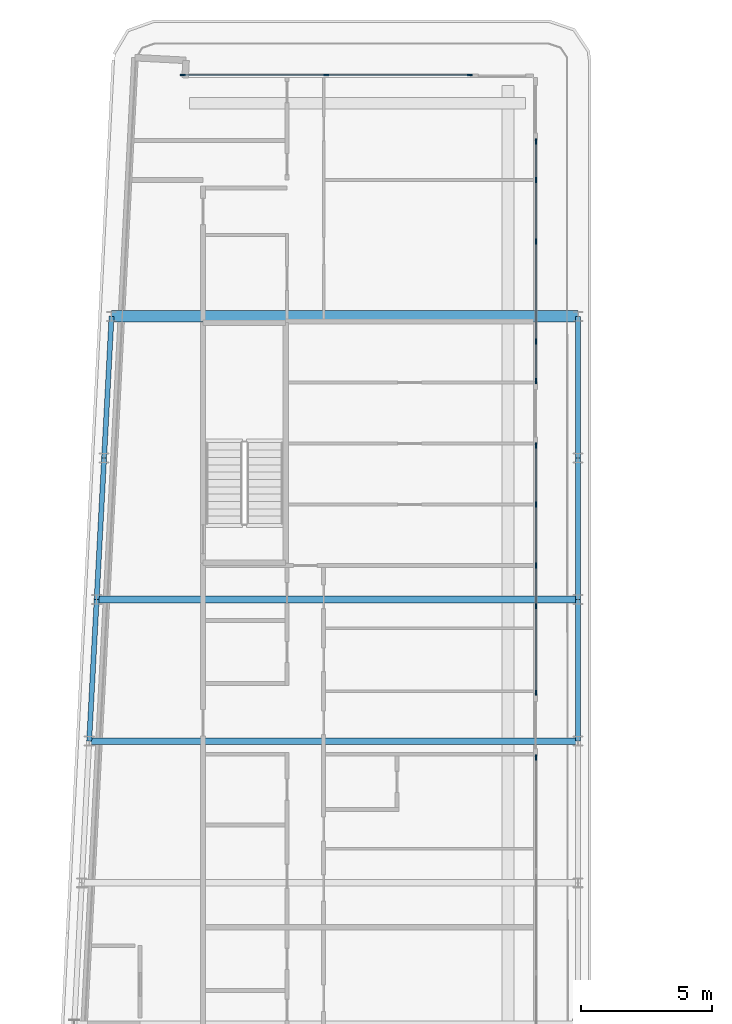
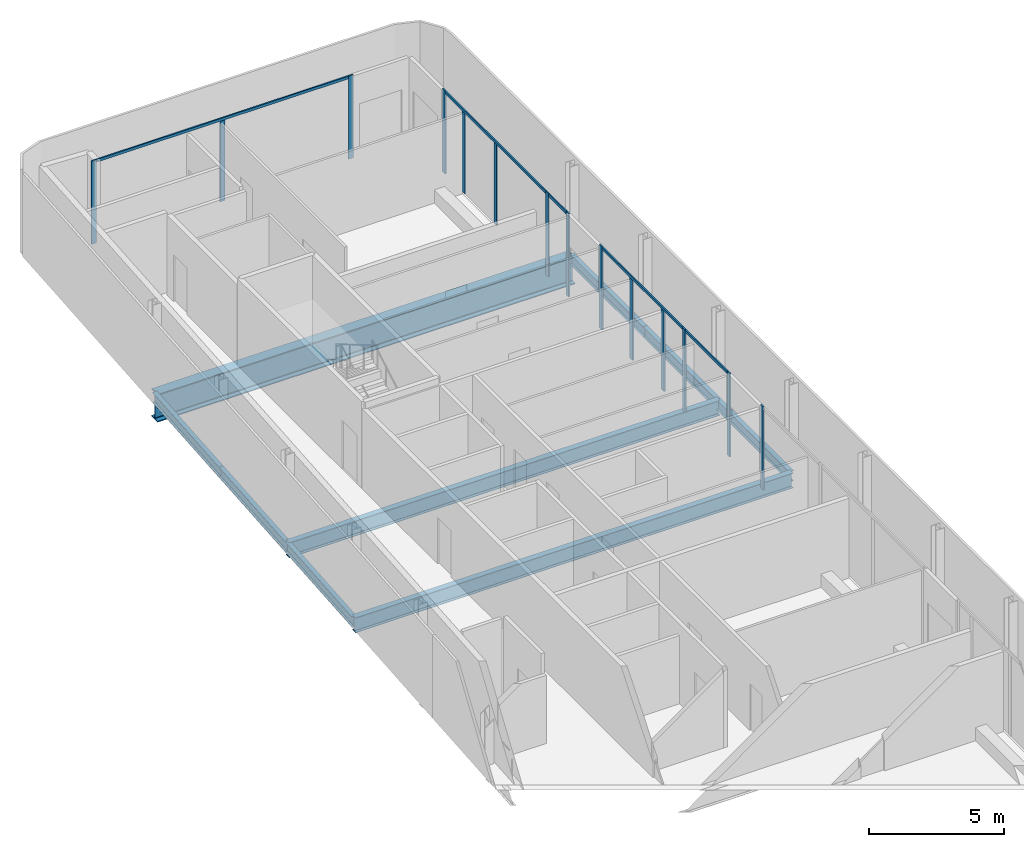
# One storey, part 6 of 18: 19 members, 9 beams, 6 elements without a shape of their own.
"""IFC4 building model written with IfcOpenShell, lengths in metres."""

from ifc_helpers import new_model, si_unit, direction, frame, origin, origin_2d, place, context, subcontext, project, spatial, rectangle, i_section, extrude, material, layer, layer_set, material_profile, profile_set, type_object, element, aggregate, save


model = new_model("IFC4")

# Units and contexts
model_context = context("Model", 3, precision=1e-05, world=origin(), true_north=direction((0.0, 1.0)))
body_context = subcontext(model_context, "Body", "Model", "MODEL_VIEW")
ifc_project = project(units=[si_unit("LENGTHUNIT", "METRE"), si_unit("AREAUNIT", "SQUARE_METRE"), si_unit("VOLUMEUNIT", "CUBIC_METRE"), si_unit("PLANEANGLEUNIT", "RADIAN"), si_unit("MASSUNIT", "GRAM", prefix="KILO")], contexts=[model_context])

# Site, building, storey
site_placement = place(None, origin())
site = spatial("IfcSite", under=ifc_project, at=site_placement, CompositionType="ELEMENT")
building_placement = place(site_placement, origin())
building = spatial("IfcBuilding", under=site, at=building_placement, Name="Kheshtan School and Residences Tower", CompositionType="ELEMENT")
storey_placement = place(building_placement, frame((0.0, 0.0, 365.60009765625)))
storey = spatial("IfcBuildingStorey", under=building, at=storey_placement, Name="L86", CompositionType="ELEMENT", Elevation=365.60009765625)

# Beams
ifc_material_1 = material(Name="Steel ASTM A992 Grade 50", Category="steel")
ifc_material_profile_1 = material_profile(ifc_material_1, i_section(OverallWidth=0.2529296875, OverallDepth=0.677978515625, WebThickness=0.01171875, FlangeThickness=0.016357421875, FilletRadius=0.0146484375, at=origin_2d()), Name="W690x125")
ifc_profile_set_1 = profile_set([ifc_material_profile_1], Name="Steel ASTM A992 Grade 50")
beam_type_1 = type_object("IfcBeamType", Name="Beam FB6 W690x125 ASTM A992 Grade 50", PredefinedType="BEAM", material=ifc_profile_set_1)
beam_1_placement = place(storey_placement, frame((47.60009765625, 78.0, -0.489013671875), z_axis=(-1.0, 0.0, 0.0), x_axis=(0.0, -1.0, 0.0)))
element("IfcBeam", 1, at=beam_1_placement, inside=storey, type_object=beam_type_1, Name="Floor beam C089", PredefinedType="BEAM", context=body_context, shape_type="SweptSolid", body=[
    extrude(i_section(OverallWidth=0.2529296875, OverallDepth=0.677978515625, WebThickness=0.01171875, FlangeThickness=0.016357421875, FilletRadius=0.0146484375, at=origin_2d()), origin(), (0.0, 0.0, 1.0), 18.357177734375),
])
beam_2_placement = place(storey_placement, frame((28.9580078125, 72.60009765625, -0.489013671875), z_axis=(1.0, 0.0, 0.0), x_axis=(0.0, 1.0, 0.0)))
element("IfcBeam", 2, at=beam_2_placement, inside=storey, type_object=beam_type_1, Name="Floor beam C086", PredefinedType="BEAM", context=body_context, shape_type="SweptSolid", body=[
    extrude(i_section(OverallWidth=0.2529296875, OverallDepth=0.677978515625, WebThickness=0.01171875, FlangeThickness=0.016357421875, FilletRadius=0.0146484375, at=origin_2d()), origin(), (0.0, 0.0, 1.0), 18.64208984375),
])
ifc_material_profile_2 = material_profile(ifc_material_1, i_section(OverallWidth=0.18994140625, OverallDepth=0.45703125, WebThickness=0.009033203125, FlangeThickness=0.014404296875, FilletRadius=0.01318359375, at=origin_2d()), Name="W460x74")
ifc_profile_set_2 = profile_set([ifc_material_profile_2], Name="Steel ASTM A992 Grade 50")
beam_type_2 = type_object("IfcBeamType", Name="Beam SP4 W460x74 ASTM A992 Grade 50", PredefinedType="BEAM", material=ifc_profile_set_2)
beam_3_placement = place(storey_placement, frame((47.60009765625, 88.800048828125, -0.378662109375), z_axis=(0.0, -1.0, 0.0), x_axis=(1.0, 0.0, 0.0)))
element("IfcBeam", 3, at=beam_3_placement, inside=storey, type_object=beam_type_2, Name="Spandrel beam C099-C091", PredefinedType="BEAM", context=body_context, shape_type="SweptSolid", body=[
    extrude(i_section(OverallWidth=0.18994140625, OverallDepth=0.45703125, WebThickness=0.009033203125, FlangeThickness=0.014404296875, FilletRadius=0.01318359375, at=origin_2d()), origin(), (0.0, 0.0, 1.0), 5.400146484375),
])
for number, where, z_axis, x_axis, name in (
    (4, (47.60009765625, 83.39990234375, -0.378662109375), (0.0, -1.0, 0.0), (1.0, 0.0, 0.0), "Spandrel beam C091-C089"),
    (5, (47.60009765625, 78.0, -0.378662109375), (0.0, -1.0, 0.0), (1.0, 0.0, 0.0), "Spandrel beam C089-C087"),
):
    element("IfcBeam", number, at=place(storey_placement, frame(where, z_axis=z_axis, x_axis=x_axis)), inside=storey, type_object=beam_type_2, Name=name, PredefinedType="BEAM", context=body_context, shape_type="SweptSolid", body=[
        extrude(i_section(OverallWidth=0.18994140625, OverallDepth=0.45703125, WebThickness=0.009033203125, FlangeThickness=0.014404296875, FilletRadius=0.01318359375, at=origin_2d()), origin(), (0.0, 0.0, 1.0), 5.39990234375),
    ])
for number, where, z_axis, x_axis, name in (
    (6, (28.9580078125, 72.60009765625, -0.378662109375), (0.052689166816, 0.998610961136, 0.0), (-0.998610961136, 0.052689166816, 0.0), "Spandrel beam C086-C088"),
    (7, (29.242919921875, 78.0, -0.378662109375), (0.052554093665, 0.998618078766, 0.0), (-0.998618078766, 0.052554093665, 0.0), "Spandrel beam C088-C090"),
):
    element("IfcBeam", number, at=place(storey_placement, frame(where, z_axis=z_axis, x_axis=x_axis)), inside=storey, type_object=beam_type_2, Name=name, PredefinedType="BEAM", context=body_context, shape_type="SweptSolid", body=[
        extrude(i_section(OverallWidth=0.18994140625, OverallDepth=0.45703125, WebThickness=0.009033203125, FlangeThickness=0.014404296875, FilletRadius=0.01318359375, at=origin_2d()), origin(), (0.0, 0.0, 1.0), 5.407470703125),
    ])
beam_4_placement = place(storey_placement, frame((29.527099609375, 83.39990234375, -0.378662109375), z_axis=(0.05250670125, 0.998620571751, 0.0), x_axis=(-0.998620571751, 0.05250670125, 0.0)))
element("IfcBeam", 8, at=beam_4_placement, inside=storey, type_object=beam_type_2, Name="Spandrel beam C090-C098", PredefinedType="BEAM", context=body_context, shape_type="SweptSolid", body=[
    extrude(i_section(OverallWidth=0.18994140625, OverallDepth=0.45703125, WebThickness=0.009033203125, FlangeThickness=0.014404296875, FilletRadius=0.01318359375, at=origin_2d()), origin(), (0.0, 0.0, 1.0), 5.40771484375),
])

# Curtain wall, members
ifc_material_2 = material(Name="Clear low-e glass in thermally broken aluminium frame", Category="aluminium")
ifc_layer = layer(ifc_material_2, 0.199951171875)
ifc_layer_set = layer_set([ifc_layer], Name="Curtain wall CW-L")
curtain_wall_type = type_object("IfcCurtainWallType", Name="Curtain wall CW-L", PredefinedType="NOTDEFINED", material=ifc_layer_set)
curtain_wall_1_placement = place(storey_placement, origin())
curtain_wall_1 = element("IfcCurtainWall", 9, at=curtain_wall_1_placement, inside=storey, type_object=curtain_wall_type, Name="Curtain wall CWL7", PredefinedType="NOTDEFINED")
ifc_material_3 = material(Name="Thermally broken aluminium, dark bronze anodised", Category="aluminium")
ifc_material_profile_3 = material_profile(ifc_material_3, rectangle(XDim=0.06005859375, YDim=0.199951171875, at=origin_2d()), Name="CW-L mullion 60x200")
ifc_profile_set_3 = profile_set([ifc_material_profile_3], Name="Thermally broken aluminium, dark bronze anodised")
member_type_1 = type_object("IfcMemberType", Name="CW-L mullion 60x200", PredefinedType="MULLION", material=ifc_profile_set_3)
member_1_placement = place(storey_placement, frame((32.52197265625, 98.0, 0.0), z_axis=(0.0, 0.0, 1.0), x_axis=(0.0, 1.0, 0.0)))
member_1 = element("IfcMember", 10, at=member_1_placement, type_object=member_type_1, Name="CWL7 mullion 1", PredefinedType="MULLION", context=body_context, shape_type="SweptSolid", body=[
    extrude(rectangle(XDim=0.06005859375, YDim=0.199951171875, at=origin_2d()), origin(), (0.0, 0.0, 1.0), 3.75),
])
member_2_placement = place(storey_placement, frame((37.99609375, 98.0, 0.0), z_axis=(0.0, 0.0, 1.0), x_axis=(0.0, 1.0, 0.0)))
member_2 = element("IfcMember", 11, at=member_2_placement, type_object=member_type_1, Name="CWL7 mullion 2", PredefinedType="MULLION", context=body_context, shape_type="SweptSolid", body=[
    extrude(rectangle(XDim=0.06005859375, YDim=0.199951171875, at=origin_2d()), origin(), (0.0, 0.0, 1.0), 3.6298828125),
])
member_3_placement = place(storey_placement, frame((43.469970703125, 98.0, 0.0), z_axis=(0.0, 0.0, 1.0), x_axis=(0.0, 1.0, 0.0)))
member_3 = element("IfcMember", 12, at=member_3_placement, type_object=member_type_1, Name="CWL7 mullion 3", PredefinedType="MULLION", context=body_context, shape_type="SweptSolid", body=[
    extrude(rectangle(XDim=0.06005859375, YDim=0.199951171875, at=origin_2d()), origin(), (0.0, 0.0, 1.0), 3.75),
])

curtain_wall_2_placement = place(storey_placement, origin())
curtain_wall_2 = element("IfcCurtainWall", 13, at=curtain_wall_2_placement, inside=storey, type_object=curtain_wall_type, Name="Curtain wall CWL8c", PredefinedType="NOTDEFINED")
member_4_placement = place(storey_placement, frame((46.0, 95.469970703125, 0.0), z_axis=(0.0, 0.0, 1.0), x_axis=(1.0, 0.0, 0.0)))
member_4 = element("IfcMember", 14, at=member_4_placement, type_object=member_type_1, Name="CWL8c mullion 1", PredefinedType="MULLION", context=body_context, shape_type="SweptSolid", body=[
    extrude(rectangle(XDim=0.06005859375, YDim=0.199951171875, at=origin_2d()), origin(), (0.0, 0.0, 1.0), 3.75),
])
member_5_placement = place(storey_placement, frame((46.0, 94.0, 0.0), z_axis=(0.0, 0.0, 1.0), x_axis=(1.0, 0.0, 0.0)))
member_5 = element("IfcMember", 15, at=member_5_placement, type_object=member_type_1, Name="CWL8c mullion 2", PredefinedType="MULLION", context=body_context, shape_type="SweptSolid", body=[
    extrude(rectangle(XDim=0.06005859375, YDim=0.199951171875, at=origin_2d()), origin(), (0.0, 0.0, 1.0), 3.6298828125),
])
member_6_placement = place(storey_placement, frame((46.0, 91.653076171875, 0.0), z_axis=(0.0, 0.0, 1.0), x_axis=(1.0, 0.0, 0.0)))
member_6 = element("IfcMember", 16, at=member_6_placement, type_object=member_type_1, Name="CWL8c mullion 3", PredefinedType="MULLION", context=body_context, shape_type="SweptSolid", body=[
    extrude(rectangle(XDim=0.06005859375, YDim=0.199951171875, at=origin_2d()), origin(), (0.0, 0.0, 1.0), 3.6298828125),
])
member_7_placement = place(storey_placement, frame((46.0, 87.8359375, 0.0), z_axis=(0.0, 0.0, 1.0), x_axis=(1.0, 0.0, 0.0)))
member_7 = element("IfcMember", 17, at=member_7_placement, type_object=member_type_1, Name="CWL8c mullion 4", PredefinedType="MULLION", context=body_context, shape_type="SweptSolid", body=[
    extrude(rectangle(XDim=0.06005859375, YDim=0.199951171875, at=origin_2d()), origin(), (0.0, 0.0, 1.0), 3.75),
])

# Curtain wall, member
curtain_wall_3_placement = place(storey_placement, origin())
curtain_wall_3 = element("IfcCurtainWall", 18, at=curtain_wall_3_placement, inside=storey, type_object=curtain_wall_type, Name="Curtain wall CWL8a", PredefinedType="NOTDEFINED")
member_8_placement = place(storey_placement, frame((46.0, 86.3359375, 0.0), z_axis=(0.0, 0.0, 1.0), x_axis=(1.0, 0.0, 0.0)))
member_8 = element("IfcMember", 19, at=member_8_placement, type_object=member_type_1, Name="CWL8a mullion 2", PredefinedType="MULLION", context=body_context, shape_type="SweptSolid", body=[
    extrude(rectangle(XDim=0.06005859375, YDim=0.199951171875, at=origin_2d()), origin(), (0.0, 0.0, 1.0), 3.75),
])

# Curtain wall, members
curtain_wall_4_placement = place(storey_placement, origin())
curtain_wall_4 = element("IfcCurtainWall", 20, at=curtain_wall_4_placement, inside=storey, type_object=curtain_wall_type, Name="Curtain wall CWL8b", PredefinedType="NOTDEFINED")
member_9_placement = place(storey_placement, frame((46.0, 83.8759765625, 0.0), z_axis=(0.0, 0.0, 1.0), x_axis=(1.0, 0.0, 0.0)))
member_9 = element("IfcMember", 21, at=member_9_placement, type_object=member_type_1, Name="CWL8b mullion 1", PredefinedType="MULLION", context=body_context, shape_type="SweptSolid", body=[
    extrude(rectangle(XDim=0.06005859375, YDim=0.199951171875, at=origin_2d()), origin(), (0.0, 0.0, 1.0), 3.75),
])
member_10_placement = place(storey_placement, frame((46.0, 81.625, 0.0), z_axis=(0.0, 0.0, 1.0), x_axis=(1.0, 0.0, 0.0)))
member_10 = element("IfcMember", 22, at=member_10_placement, type_object=member_type_1, Name="CWL8b mullion 2", PredefinedType="MULLION", context=body_context, shape_type="SweptSolid", body=[
    extrude(rectangle(XDim=0.06005859375, YDim=0.199951171875, at=origin_2d()), origin(), (0.0, 0.0, 1.0), 3.6298828125),
])
member_11_placement = place(storey_placement, frame((46.0, 79.300048828125, 0.0), z_axis=(0.0, 0.0, 1.0), x_axis=(1.0, 0.0, 0.0)))
member_11 = element("IfcMember", 23, at=member_11_placement, type_object=member_type_1, Name="CWL8b mullion 3", PredefinedType="MULLION", context=body_context, shape_type="SweptSolid", body=[
    extrude(rectangle(XDim=0.06005859375, YDim=0.199951171875, at=origin_2d()), origin(), (0.0, 0.0, 1.0), 3.6298828125),
])
member_12_placement = place(storey_placement, frame((46.0, 77.741943359375, 0.0), z_axis=(0.0, 0.0, 1.0), x_axis=(1.0, 0.0, 0.0)))
member_12 = element("IfcMember", 24, at=member_12_placement, type_object=member_type_1, Name="CWL8b mullion 4", PredefinedType="MULLION", context=body_context, shape_type="SweptSolid", body=[
    extrude(rectangle(XDim=0.06005859375, YDim=0.199951171875, at=origin_2d()), origin(), (0.0, 0.0, 1.0), 3.75),
])

# Curtain wall, member
curtain_wall_5_placement = place(storey_placement, origin())
curtain_wall_5 = element("IfcCurtainWall", 25, at=curtain_wall_5_placement, inside=storey, type_object=curtain_wall_type, Name="Curtain wall CWL8q", PredefinedType="NOTDEFINED")
member_13_placement = place(storey_placement, frame((46.0, 74.44189453125, 0.0), z_axis=(0.0, 0.0, 1.0), x_axis=(1.0, 0.0, 0.0)))
member_13 = element("IfcMember", 26, at=member_13_placement, type_object=member_type_1, Name="CWL8q mullion 2", PredefinedType="MULLION", context=body_context, shape_type="SweptSolid", body=[
    extrude(rectangle(XDim=0.06005859375, YDim=0.199951171875, at=origin_2d()), origin(), (0.0, 0.0, 1.0), 3.75),
])

curtain_wall_6_placement = place(storey_placement, origin())
curtain_wall_6 = element("IfcCurtainWall", 27, at=curtain_wall_6_placement, inside=storey, type_object=curtain_wall_type, Name="Curtain wall CWL8r", PredefinedType="NOTDEFINED")
member_14_placement = place(storey_placement, frame((46.0, 71.98193359375, 0.0), z_axis=(0.0, 0.0, 1.0), x_axis=(1.0, 0.0, 0.0)))
member_14 = element("IfcMember", 28, at=member_14_placement, type_object=member_type_1, Name="CWL8r mullion 1", PredefinedType="MULLION", context=body_context, shape_type="SweptSolid", body=[
    extrude(rectangle(XDim=0.06005859375, YDim=0.199951171875, at=origin_2d()), origin(), (0.0, 0.0, 1.0), 3.75),
])
aggregate(curtain_wall_6, [member_14])

# Member
ifc_material_profile_4 = material_profile(ifc_material_3, rectangle(XDim=0.06005859375, YDim=0.1201171875, at=origin_2d()), Name="CW-L transom 60x120")
ifc_profile_set_4 = profile_set([ifc_material_profile_4], Name="Thermally broken aluminium, dark bronze anodised")
member_type_2 = type_object("IfcMemberType", Name="CW-L transom 60x120", PredefinedType="USERDEFINED", material=ifc_profile_set_4)
member_15_placement = place(storey_placement, frame((32.552001953125, 98.0, 3.68994140625), z_axis=(1.0, 0.0, 0.0), x_axis=(0.0, 1.0, 0.0)))
member_15 = element("IfcMember", 29, at=member_15_placement, type_object=member_type_2, Name="CWL7 transom 1", ObjectType="TRANSOM", PredefinedType="USERDEFINED", context=body_context, shape_type="SweptSolid", body=[
    extrude(rectangle(XDim=0.06005859375, YDim=0.1201171875, at=origin_2d()), origin(), (0.0, 0.0, 1.0), 10.887939453125),
])

aggregate(curtain_wall_1, [member_1, member_2, member_3, member_15])

member_16_placement = place(storey_placement, frame((46.0, 95.43994140625, 3.68994140625), z_axis=(0.0, -1.0, 0.0), x_axis=(1.0, 0.0, 0.0)))
member_16 = element("IfcMember", 30, at=member_16_placement, type_object=member_type_2, Name="CWL8c transom 1", ObjectType="TRANSOM", PredefinedType="USERDEFINED", context=body_context, shape_type="SweptSolid", body=[
    extrude(rectangle(XDim=0.06005859375, YDim=0.1201171875, at=origin_2d()), origin(), (0.0, 0.0, 1.0), 7.573974609375),
])

aggregate(curtain_wall_2, [member_4, member_5, member_6, member_7, member_16])

member_17_placement = place(storey_placement, frame((46.0, 87.805908203125, 3.68994140625), z_axis=(0.0, -1.0, 0.0), x_axis=(1.0, 0.0, 0.0)))
member_17 = element("IfcMember", 31, at=member_17_placement, type_object=member_type_2, Name="CWL8a transom 1", ObjectType="TRANSOM", PredefinedType="USERDEFINED", context=body_context, shape_type="SweptSolid", body=[
    extrude(rectangle(XDim=0.06005859375, YDim=0.1201171875, at=origin_2d()), origin(), (0.0, 0.0, 1.0), 1.43994140625),
])

aggregate(curtain_wall_3, [member_8, member_17])

member_18_placement = place(storey_placement, frame((46.0, 83.845947265625, 3.68994140625), z_axis=(0.0, -1.0, 0.0), x_axis=(1.0, 0.0, 0.0)))
member_18 = element("IfcMember", 32, at=member_18_placement, type_object=member_type_2, Name="CWL8b transom 1", ObjectType="TRANSOM", PredefinedType="USERDEFINED", context=body_context, shape_type="SweptSolid", body=[
    extrude(rectangle(XDim=0.06005859375, YDim=0.1201171875, at=origin_2d()), origin(), (0.0, 0.0, 1.0), 6.073974609375),
])

aggregate(curtain_wall_4, [member_9, member_10, member_11, member_12, member_18])

member_19_placement = place(storey_placement, frame((46.0, 77.7119140625, 3.68994140625), z_axis=(0.0, -1.0, 0.0), x_axis=(1.0, 0.0, 0.0)))
member_19 = element("IfcMember", 33, at=member_19_placement, type_object=member_type_2, Name="CWL8q transom 1", ObjectType="TRANSOM", PredefinedType="USERDEFINED", context=body_context, shape_type="SweptSolid", body=[
    extrude(rectangle(XDim=0.06005859375, YDim=0.1201171875, at=origin_2d()), origin(), (0.0, 0.0, 1.0), 3.239990234375),
])

aggregate(curtain_wall_5, [member_13, member_19])

# Beam
ifc_material_profile_5 = material_profile(ifc_material_1, i_section(OverallWidth=0.449951171875, OverallDepth=1.25, WebThickness=0.02490234375, FlangeThickness=0.044921875, FilletRadius=0.03759765625, at=origin_2d()), Name="WWF1250x546")
ifc_profile_set_5 = profile_set([ifc_material_profile_5], Name="Steel ASTM A992 Grade 50")
beam_type_3 = type_object("IfcBeamType", Name="Transfer girder TG4 WWF1250x546 ASTM A992 Grade 50", PredefinedType="BEAM", material=ifc_profile_set_5)
beam_5_placement = place(storey_placement, frame((29.81103515625, 88.800048828125, -0.775146484375), z_axis=(1.0, 0.0, 0.0), x_axis=(0.0, 1.0, 0.0)))
element("IfcBeam", 34, at=beam_5_placement, inside=storey, type_object=beam_type_3, Name="Transfer girder C098-C099", PredefinedType="BEAM", context=body_context, shape_type="SweptSolid", body=[
    extrude(i_section(OverallWidth=0.449951171875, OverallDepth=1.25, WebThickness=0.02490234375, FlangeThickness=0.044921875, FilletRadius=0.03759765625, at=origin_2d()), origin(), (0.0, 0.0, 1.0), 17.7890625),
])

save(model, "model.ifc")
